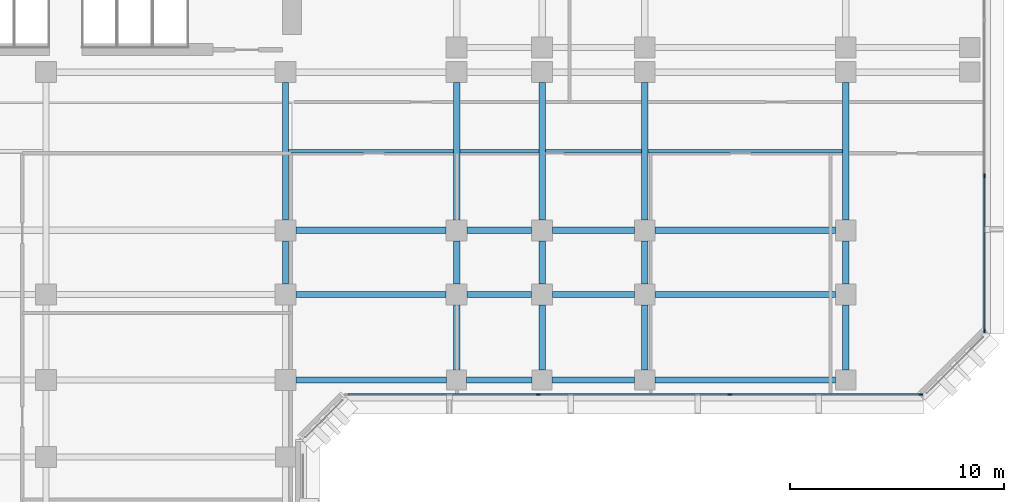
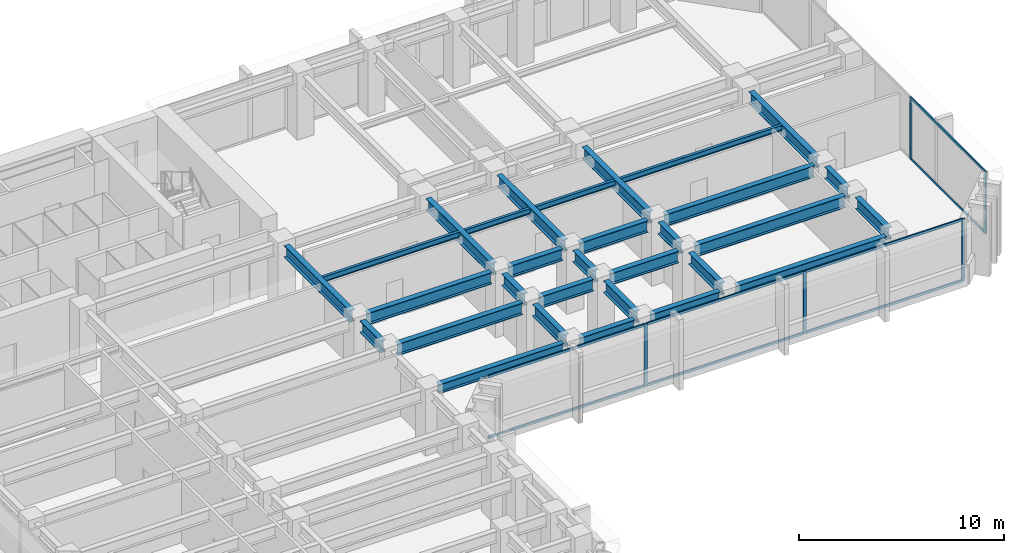
# One storey, part 3 of 13: 30 beams, 13 members, 2 elements without a shape of their own.
"""IFC4 building model written with IfcOpenShell, lengths in metres."""

from ifc_helpers import new_model, si_unit, direction, frame, origin, origin_2d, place, context, subcontext, project, spatial, rectangle, i_section, extrude, material, layer, layer_set, material_profile, profile_set, type_object, element, aggregate, save


model = new_model("IFC4")

# Units and contexts
model_context = context("Model", 3, precision=1e-05, world=origin(), true_north=direction((0.0, 1.0)))
body_context = subcontext(model_context, "Body", "Model", "MODEL_VIEW")
ifc_project = project(units=[si_unit("LENGTHUNIT", "METRE"), si_unit("AREAUNIT", "SQUARE_METRE"), si_unit("VOLUMEUNIT", "CUBIC_METRE"), si_unit("PLANEANGLEUNIT", "RADIAN"), si_unit("MASSUNIT", "GRAM", prefix="KILO")], contexts=[model_context])

# Site, building, storey
site_placement = place(None, origin())
site = spatial("IfcSite", under=ifc_project, at=site_placement, CompositionType="ELEMENT")
building_placement = place(site_placement, origin())
building = spatial("IfcBuilding", under=site, at=building_placement, Name="Kefirva Bronze Tower", CompositionType="ELEMENT")
storey_placement = place(building_placement, frame((0.0, 0.0, 54.1201171875)))
storey = spatial("IfcBuildingStorey", under=building, at=storey_placement, Name="L12", CompositionType="ELEMENT", Elevation=54.1201171875)

# Curtain wall, members
ifc_material_1 = material(Name="Bronze anodised aluminium", Category="aluminium")
ifc_layer = layer(ifc_material_1, 0.199951171875, Name="Bronze anodised aluminium")
ifc_layer_set = layer_set([ifc_layer], Name="Bronze anodised aluminium")
curtain_wall_type = type_object("IfcCurtainWallType", Name="Unitised Bronze Ribbon Curtain Wall Zone 1", PredefinedType="USERDEFINED", material=ifc_layer_set)
curtain_wall_1_placement = place(storey_placement, origin())
curtain_wall_1 = element("IfcCurtainWall", 1, at=curtain_wall_1_placement, inside=storey, type_object=curtain_wall_type, Name="L12 Curtain Wall 2", ObjectType="UNITISED CURTAIN WALL", PredefinedType="USERDEFINED")
ifc_material_profile_1 = material_profile(ifc_material_1, rectangle(XDim=0.074951171875, YDim=0.179931640625, at=origin_2d()), Name="ALU 75x180")
ifc_profile_set_1 = profile_set([ifc_material_profile_1], Name="Bronze anodised aluminium")
member_type_1 = type_object("IfcMemberType", Name="Bronze Mullion 75x180", PredefinedType="MULLION", material=ifc_profile_set_1)
member_1_placement = place(storey_placement, frame((35.018310546875, 18.1201171875, 0.0), z_axis=(0.0, 0.0, 1.0), x_axis=(0.0, 1.0, 0.0)))
member_1 = element("IfcMember", 2, at=member_1_placement, type_object=member_type_1, Name="CW-01 mullion 2", PredefinedType="MULLION", context=body_context, shape_type="SweptSolid", body=[
    extrude(rectangle(XDim=0.074951171875, YDim=0.179931640625, at=origin_2d()), origin(), (0.0, 0.0, 1.0), 3.7099609375),
])
member_2_placement = place(storey_placement, frame((43.981689453125, 18.1201171875, 0.0), z_axis=(0.0, 0.0, 1.0), x_axis=(0.0, 1.0, 0.0)))
member_2 = element("IfcMember", 3, at=member_2_placement, type_object=member_type_1, Name="CW-01 mullion 3", PredefinedType="MULLION", context=body_context, shape_type="SweptSolid", body=[
    extrude(rectangle(XDim=0.074951171875, YDim=0.179931640625, at=origin_2d()), origin(), (0.0, 0.0, 1.0), 3.7099609375),
])
member_3_placement = place(storey_placement, frame((52.907470703125, 18.1201171875, 0.0), z_axis=(0.0, 0.0, 1.0), x_axis=(0.0, 1.0, 0.0)))
member_3 = element("IfcMember", 4, at=member_3_placement, type_object=member_type_1, Name="CW-01 mullion 4", PredefinedType="MULLION", context=body_context, shape_type="SweptSolid", body=[
    extrude(rectangle(XDim=0.074951171875, YDim=0.179931640625, at=origin_2d()), origin(), (0.0, 0.0, 1.0), 3.7099609375),
])

curtain_wall_2_placement = place(storey_placement, origin())
curtain_wall_2 = element("IfcCurtainWall", 5, at=curtain_wall_2_placement, inside=storey, type_object=curtain_wall_type, Name="L12 Curtain Wall 3", ObjectType="UNITISED CURTAIN WALL", PredefinedType="USERDEFINED")
member_4_placement = place(storey_placement, frame((55.8798828125, 21.092529296875, 0.0), z_axis=(0.0, 0.0, 1.0), x_axis=(-1.0, 0.0, 0.0)))
member_4 = element("IfcMember", 6, at=member_4_placement, type_object=member_type_1, Name="CW-01 mullion 1", PredefinedType="MULLION", context=body_context, shape_type="SweptSolid", body=[
    extrude(rectangle(XDim=0.074951171875, YDim=0.179931640625, at=origin_2d()), origin(), (0.0, 0.0, 1.0), 3.7099609375),
])
member_5_placement = place(storey_placement, frame((55.8798828125, 28.3515625, 0.0), z_axis=(0.0, 0.0, 1.0), x_axis=(-1.0, 0.0, 0.0)))
member_5 = element("IfcMember", 7, at=member_5_placement, type_object=member_type_1, Name="CW-01 mullion 2", PredefinedType="MULLION", context=body_context, shape_type="SweptSolid", body=[
    extrude(rectangle(XDim=0.074951171875, YDim=0.179931640625, at=origin_2d()), origin(), (0.0, 0.0, 1.0), 3.7099609375),
])

# Member
ifc_material_profile_2 = material_profile(ifc_material_1, rectangle(XDim=0.074951171875, YDim=0.14990234375, at=origin_2d()), Name="ALU 75x150")
ifc_profile_set_2 = profile_set([ifc_material_profile_2], Name="Bronze anodised aluminium")
member_type_2 = type_object("IfcMemberType", Name="Bronze Transom 75x150", PredefinedType="USERDEFINED", material=ifc_profile_set_2)
member_6_placement = place(storey_placement, frame((26.1298828125, 18.1201171875, 0.037353515625), z_axis=(1.0, 0.0, 0.0), x_axis=(0.0, 1.0, 0.0)))
member_6 = element("IfcMember", 8, at=member_6_placement, type_object=member_type_2, Name="CW-01 transom 1.1", ObjectType="TRANSOM", PredefinedType="USERDEFINED", context=body_context, shape_type="SweptSolid", body=[
    extrude(rectangle(XDim=0.074951171875, YDim=0.14990234375, at=origin_2d()), origin(), (0.0, 0.0, 1.0), 8.850830078125),
])

member_7_placement = place(storey_placement, frame((26.1298828125, 18.1201171875, 3.67236328125), z_axis=(1.0, 0.0, 0.0), x_axis=(0.0, 1.0, 0.0)))
member_7 = element("IfcMember", 9, at=member_7_placement, type_object=member_type_2, Name="CW-01 transom 1.2", ObjectType="TRANSOM", PredefinedType="USERDEFINED", context=body_context, shape_type="SweptSolid", body=[
    extrude(rectangle(XDim=0.074951171875, YDim=0.14990234375, at=origin_2d()), origin(), (0.0, 0.0, 1.0), 8.850830078125),
])

member_8_placement = place(storey_placement, frame((35.055908203125, 18.1201171875, 0.037353515625), z_axis=(1.0, 0.0, 0.0), x_axis=(0.0, 1.0, 0.0)))
member_8 = element("IfcMember", 10, at=member_8_placement, type_object=member_type_2, Name="CW-01 transom 2.1", ObjectType="TRANSOM", PredefinedType="USERDEFINED", context=body_context, shape_type="SweptSolid", body=[
    extrude(rectangle(XDim=0.074951171875, YDim=0.14990234375, at=origin_2d()), origin(), (0.0, 0.0, 1.0), 8.88818359375),
])

member_9_placement = place(storey_placement, frame((35.055908203125, 18.1201171875, 3.67236328125), z_axis=(1.0, 0.0, 0.0), x_axis=(0.0, 1.0, 0.0)))
member_9 = element("IfcMember", 11, at=member_9_placement, type_object=member_type_2, Name="CW-01 transom 2.2", ObjectType="TRANSOM", PredefinedType="USERDEFINED", context=body_context, shape_type="SweptSolid", body=[
    extrude(rectangle(XDim=0.074951171875, YDim=0.14990234375, at=origin_2d()), origin(), (0.0, 0.0, 1.0), 8.88818359375),
])

member_10_placement = place(storey_placement, frame((44.019287109375, 18.1201171875, 0.037353515625), z_axis=(1.0, 0.0, 0.0), x_axis=(0.0, 1.0, 0.0)))
member_10 = element("IfcMember", 12, at=member_10_placement, type_object=member_type_2, Name="CW-01 transom 3.1", ObjectType="TRANSOM", PredefinedType="USERDEFINED", context=body_context, shape_type="SweptSolid", body=[
    extrude(rectangle(XDim=0.074951171875, YDim=0.14990234375, at=origin_2d()), origin(), (0.0, 0.0, 1.0), 8.850830078125),
])

member_11_placement = place(storey_placement, frame((44.019287109375, 18.1201171875, 3.67236328125), z_axis=(1.0, 0.0, 0.0), x_axis=(0.0, 1.0, 0.0)))
member_11 = element("IfcMember", 13, at=member_11_placement, type_object=member_type_2, Name="CW-01 transom 3.2", ObjectType="TRANSOM", PredefinedType="USERDEFINED", context=body_context, shape_type="SweptSolid", body=[
    extrude(rectangle(XDim=0.074951171875, YDim=0.14990234375, at=origin_2d()), origin(), (0.0, 0.0, 1.0), 8.850830078125),
])

aggregate(curtain_wall_1, [member_1, member_2, member_3, member_6, member_7, member_8, member_9, member_10, member_11])

member_12_placement = place(storey_placement, frame((55.8798828125, 21.1298828125, 0.037353515625), z_axis=(0.0, 1.0, 0.0), x_axis=(-1.0, 0.0, 0.0)))
member_12 = element("IfcMember", 14, at=member_12_placement, type_object=member_type_2, Name="CW-01 transom 1.1", ObjectType="TRANSOM", PredefinedType="USERDEFINED", context=body_context, shape_type="SweptSolid", body=[
    extrude(rectangle(XDim=0.074951171875, YDim=0.14990234375, at=origin_2d()), origin(), (0.0, 0.0, 1.0), 7.184326171875),
])

member_13_placement = place(storey_placement, frame((55.8798828125, 21.1298828125, 3.67236328125), z_axis=(0.0, 1.0, 0.0), x_axis=(-1.0, 0.0, 0.0)))
member_13 = element("IfcMember", 15, at=member_13_placement, type_object=member_type_2, Name="CW-01 transom 1.2", ObjectType="TRANSOM", PredefinedType="USERDEFINED", context=body_context, shape_type="SweptSolid", body=[
    extrude(rectangle(XDim=0.074951171875, YDim=0.14990234375, at=origin_2d()), origin(), (0.0, 0.0, 1.0), 7.184326171875),
])

aggregate(curtain_wall_2, [member_4, member_5, member_12, member_13])

# Beams
ifc_material_2 = material(Name="Steel S355", Category="steel")
ifc_material_profile_3 = material_profile(ifc_material_2, i_section(OverallWidth=0.159912109375, OverallDepth=0.330078125, WebThickness=0.007568359375, FlangeThickness=0.011474609375, at=origin_2d()), Name="IPE 330")
ifc_profile_set_3 = profile_set([ifc_material_profile_3], Name="Steel S355")
beam_type_1 = type_object("IfcBeamType", Name="Steel Floor Joist IPE 330", PredefinedType="JOIST", material=ifc_profile_set_3)
beam_1_placement = place(storey_placement, frame((23.35009765625, 29.5, 3.544921875), z_axis=(1.0, 0.0, 0.0), x_axis=(0.0, 1.0, 0.0)))
element("IfcBeam", 16, at=beam_1_placement, inside=storey, type_object=beam_type_1, Name="L12 JST-L12-23-295", PredefinedType="JOIST", context=body_context, shape_type="SweptSolid", body=[
    extrude(i_section(OverallWidth=0.159912109375, OverallDepth=0.330078125, WebThickness=0.007568359375, FlangeThickness=0.011474609375, at=origin_2d()), origin(), (0.0, 0.0, 1.0), 7.699951171875),
])
beam_2_placement = place(storey_placement, frame((31.35009765625, 29.5, 3.544921875), z_axis=(1.0, 0.0, 0.0), x_axis=(0.0, 1.0, 0.0)))
element("IfcBeam", 17, at=beam_2_placement, inside=storey, type_object=beam_type_1, Name="L12 JST-L12-31-295", PredefinedType="JOIST", context=body_context, shape_type="SweptSolid", body=[
    extrude(i_section(OverallWidth=0.159912109375, OverallDepth=0.330078125, WebThickness=0.007568359375, FlangeThickness=0.011474609375, at=origin_2d()), origin(), (0.0, 0.0, 1.0), 3.699951171875),
])
beam_3_placement = place(storey_placement, frame((35.35009765625, 29.5, 3.544921875), z_axis=(1.0, 0.0, 0.0), x_axis=(0.0, 1.0, 0.0)))
element("IfcBeam", 18, at=beam_3_placement, inside=storey, type_object=beam_type_1, Name="L12 JST-L12-35-295", PredefinedType="JOIST", context=body_context, shape_type="SweptSolid", body=[
    extrude(i_section(OverallWidth=0.159912109375, OverallDepth=0.330078125, WebThickness=0.007568359375, FlangeThickness=0.011474609375, at=origin_2d()), origin(), (0.0, 0.0, 1.0), 4.5),
])
beam_4_placement = place(storey_placement, frame((40.14990234375, 29.5, 3.544921875), z_axis=(1.0, 0.0, 0.0), x_axis=(0.0, 1.0, 0.0)))
element("IfcBeam", 19, at=beam_4_placement, inside=storey, type_object=beam_type_1, Name="L12 JST-L12-40-295", PredefinedType="JOIST", context=body_context, shape_type="SweptSolid", body=[
    extrude(i_section(OverallWidth=0.159912109375, OverallDepth=0.330078125, WebThickness=0.007568359375, FlangeThickness=0.011474609375, at=origin_2d()), origin(), (0.0, 0.0, 1.0), 9.10009765625),
])
ifc_material_profile_4 = material_profile(ifc_material_2, i_section(OverallWidth=0.300048828125, OverallDepth=0.699951171875, WebThickness=0.01708984375, FlangeThickness=0.031982421875, at=origin_2d()), Name="HEB 700")
ifc_profile_set_4 = profile_set([ifc_material_profile_4], Name="Steel S355")
beam_type_2 = type_object("IfcBeamType", Name="Steel Girder HEB 700", PredefinedType="USERDEFINED", material=ifc_profile_set_4)
beam_5_placement = place(storey_placement, frame((23.68994140625, 22.800048828125, 3.35986328125), z_axis=(1.0, 0.0, 0.0), x_axis=(0.0, 1.0, 0.0)))
element("IfcBeam", 20, at=beam_5_placement, inside=storey, type_object=beam_type_2, Name="L12 BM-L12-EW-23-228", ObjectType="GIRDER", PredefinedType="USERDEFINED", context=body_context, shape_type="SweptSolid", body=[
    extrude(i_section(OverallWidth=0.300048828125, OverallDepth=0.699951171875, WebThickness=0.01708984375, FlangeThickness=0.031982421875, at=origin_2d()), origin(), (0.0, 0.0, 1.0), 7.02001953125),
])
beam_6_placement = place(storey_placement, frame((31.68994140625, 22.800048828125, 3.35986328125), z_axis=(1.0, 0.0, 0.0), x_axis=(0.0, 1.0, 0.0)))
element("IfcBeam", 21, at=beam_6_placement, inside=storey, type_object=beam_type_2, Name="L12 BM-L12-EW-31-228", ObjectType="GIRDER", PredefinedType="USERDEFINED", context=body_context, shape_type="SweptSolid", body=[
    extrude(i_section(OverallWidth=0.300048828125, OverallDepth=0.699951171875, WebThickness=0.01708984375, FlangeThickness=0.031982421875, at=origin_2d()), origin(), (0.0, 0.0, 1.0), 3.02001953125),
])
beam_7_placement = place(storey_placement, frame((35.68994140625, 22.800048828125, 3.35986328125), z_axis=(1.0, 0.0, 0.0), x_axis=(0.0, 1.0, 0.0)))
element("IfcBeam", 22, at=beam_7_placement, inside=storey, type_object=beam_type_2, Name="L12 BM-L12-EW-35-228", ObjectType="GIRDER", PredefinedType="USERDEFINED", context=body_context, shape_type="SweptSolid", body=[
    extrude(i_section(OverallWidth=0.300048828125, OverallDepth=0.699951171875, WebThickness=0.01708984375, FlangeThickness=0.031982421875, at=origin_2d()), origin(), (0.0, 0.0, 1.0), 3.820068359375),
])
beam_8_placement = place(storey_placement, frame((40.489990234375, 22.800048828125, 3.35986328125), z_axis=(1.0, 0.0, 0.0), x_axis=(0.0, 1.0, 0.0)))
element("IfcBeam", 23, at=beam_8_placement, inside=storey, type_object=beam_type_2, Name="L12 BM-L12-EW-40-228", ObjectType="GIRDER", PredefinedType="USERDEFINED", context=body_context, shape_type="SweptSolid", body=[
    extrude(i_section(OverallWidth=0.300048828125, OverallDepth=0.699951171875, WebThickness=0.01708984375, FlangeThickness=0.031982421875, at=origin_2d()), origin(), (0.0, 0.0, 1.0), 8.419921875),
])
beam_9_placement = place(storey_placement, frame((23.68994140625, 25.800048828125, 3.35986328125), z_axis=(1.0, 0.0, 0.0), x_axis=(0.0, 1.0, 0.0)))
element("IfcBeam", 24, at=beam_9_placement, inside=storey, type_object=beam_type_2, Name="L12 BM-L12-EW-23-258", ObjectType="GIRDER", PredefinedType="USERDEFINED", context=body_context, shape_type="SweptSolid", body=[
    extrude(i_section(OverallWidth=0.300048828125, OverallDepth=0.699951171875, WebThickness=0.01708984375, FlangeThickness=0.031982421875, at=origin_2d()), origin(), (0.0, 0.0, 1.0), 7.02001953125),
])
beam_10_placement = place(storey_placement, frame((31.68994140625, 25.800048828125, 3.35986328125), z_axis=(1.0, 0.0, 0.0), x_axis=(0.0, 1.0, 0.0)))
element("IfcBeam", 25, at=beam_10_placement, inside=storey, type_object=beam_type_2, Name="L12 BM-L12-EW-31-258", ObjectType="GIRDER", PredefinedType="USERDEFINED", context=body_context, shape_type="SweptSolid", body=[
    extrude(i_section(OverallWidth=0.300048828125, OverallDepth=0.699951171875, WebThickness=0.01708984375, FlangeThickness=0.031982421875, at=origin_2d()), origin(), (0.0, 0.0, 1.0), 3.02001953125),
])
beam_11_placement = place(storey_placement, frame((35.68994140625, 25.800048828125, 3.35986328125), z_axis=(1.0, 0.0, 0.0), x_axis=(0.0, 1.0, 0.0)))
element("IfcBeam", 26, at=beam_11_placement, inside=storey, type_object=beam_type_2, Name="L12 BM-L12-EW-35-258", ObjectType="GIRDER", PredefinedType="USERDEFINED", context=body_context, shape_type="SweptSolid", body=[
    extrude(i_section(OverallWidth=0.300048828125, OverallDepth=0.699951171875, WebThickness=0.01708984375, FlangeThickness=0.031982421875, at=origin_2d()), origin(), (0.0, 0.0, 1.0), 3.820068359375),
])
beam_12_placement = place(storey_placement, frame((40.489990234375, 25.800048828125, 3.35986328125), z_axis=(1.0, 0.0, 0.0), x_axis=(0.0, 1.0, 0.0)))
element("IfcBeam", 27, at=beam_12_placement, inside=storey, type_object=beam_type_2, Name="L12 BM-L12-EW-40-258", ObjectType="GIRDER", PredefinedType="USERDEFINED", context=body_context, shape_type="SweptSolid", body=[
    extrude(i_section(OverallWidth=0.300048828125, OverallDepth=0.699951171875, WebThickness=0.01708984375, FlangeThickness=0.031982421875, at=origin_2d()), origin(), (0.0, 0.0, 1.0), 8.419921875),
])
beam_13_placement = place(storey_placement, frame((23.199951171875, 23.2900390625, 3.35986328125), z_axis=(0.0, 1.0, 0.0), x_axis=(-1.0, 0.0, 0.0)))
element("IfcBeam", 28, at=beam_13_placement, inside=storey, type_object=beam_type_2, Name="L12 BM-L12-NS-232-22", ObjectType="GIRDER", PredefinedType="USERDEFINED", context=body_context, shape_type="SweptSolid", body=[
    extrude(i_section(OverallWidth=0.300048828125, OverallDepth=0.699951171875, WebThickness=0.01708984375, FlangeThickness=0.031982421875, at=origin_2d()), origin(), (0.0, 0.0, 1.0), 2.02001953125),
])
beam_14_placement = place(storey_placement, frame((23.199951171875, 26.2900390625, 3.35986328125), z_axis=(0.0, 1.0, 0.0), x_axis=(-1.0, 0.0, 0.0)))
element("IfcBeam", 29, at=beam_14_placement, inside=storey, type_object=beam_type_2, Name="L12 BM-L12-NS-232-25", ObjectType="GIRDER", PredefinedType="USERDEFINED", context=body_context, shape_type="SweptSolid", body=[
    extrude(i_section(OverallWidth=0.300048828125, OverallDepth=0.699951171875, WebThickness=0.01708984375, FlangeThickness=0.031982421875, at=origin_2d()), origin(), (0.0, 0.0, 1.0), 6.419921875),
])
beam_15_placement = place(storey_placement, frame((31.199951171875, 19.27001953125, 3.35986328125), z_axis=(0.0, 1.0, 0.0), x_axis=(-1.0, 0.0, 0.0)))
element("IfcBeam", 30, at=beam_15_placement, inside=storey, type_object=beam_type_2, Name="L12 BM-L12-NS-312-18", ObjectType="GIRDER", PredefinedType="USERDEFINED", context=body_context, shape_type="SweptSolid", body=[
    extrude(i_section(OverallWidth=0.300048828125, OverallDepth=0.699951171875, WebThickness=0.01708984375, FlangeThickness=0.031982421875, at=origin_2d()), origin(), (0.0, 0.0, 1.0), 3.0400390625),
])
beam_16_placement = place(storey_placement, frame((31.199951171875, 23.2900390625, 3.35986328125), z_axis=(0.0, 1.0, 0.0), x_axis=(-1.0, 0.0, 0.0)))
element("IfcBeam", 31, at=beam_16_placement, inside=storey, type_object=beam_type_2, Name="L12 BM-L12-NS-312-22", ObjectType="GIRDER", PredefinedType="USERDEFINED", context=body_context, shape_type="SweptSolid", body=[
    extrude(i_section(OverallWidth=0.300048828125, OverallDepth=0.699951171875, WebThickness=0.01708984375, FlangeThickness=0.031982421875, at=origin_2d()), origin(), (0.0, 0.0, 1.0), 2.02001953125),
])
beam_17_placement = place(storey_placement, frame((31.199951171875, 26.2900390625, 3.35986328125), z_axis=(0.0, 1.0, 0.0), x_axis=(-1.0, 0.0, 0.0)))
element("IfcBeam", 32, at=beam_17_placement, inside=storey, type_object=beam_type_2, Name="L12 BM-L12-NS-312-25", ObjectType="GIRDER", PredefinedType="USERDEFINED", context=body_context, shape_type="SweptSolid", body=[
    extrude(i_section(OverallWidth=0.300048828125, OverallDepth=0.699951171875, WebThickness=0.01708984375, FlangeThickness=0.031982421875, at=origin_2d()), origin(), (0.0, 0.0, 1.0), 6.419921875),
])
beam_18_placement = place(storey_placement, frame((35.199951171875, 19.27001953125, 3.35986328125), z_axis=(0.0, 1.0, 0.0), x_axis=(-1.0, 0.0, 0.0)))
element("IfcBeam", 33, at=beam_18_placement, inside=storey, type_object=beam_type_2, Name="L12 BM-L12-NS-352-18", ObjectType="GIRDER", PredefinedType="USERDEFINED", context=body_context, shape_type="SweptSolid", body=[
    extrude(i_section(OverallWidth=0.300048828125, OverallDepth=0.699951171875, WebThickness=0.01708984375, FlangeThickness=0.031982421875, at=origin_2d()), origin(), (0.0, 0.0, 1.0), 3.0400390625),
])
beam_19_placement = place(storey_placement, frame((35.199951171875, 23.2900390625, 3.35986328125), z_axis=(0.0, 1.0, 0.0), x_axis=(-1.0, 0.0, 0.0)))
element("IfcBeam", 34, at=beam_19_placement, inside=storey, type_object=beam_type_2, Name="L12 BM-L12-NS-352-22", ObjectType="GIRDER", PredefinedType="USERDEFINED", context=body_context, shape_type="SweptSolid", body=[
    extrude(i_section(OverallWidth=0.300048828125, OverallDepth=0.699951171875, WebThickness=0.01708984375, FlangeThickness=0.031982421875, at=origin_2d()), origin(), (0.0, 0.0, 1.0), 2.02001953125),
])
beam_20_placement = place(storey_placement, frame((35.199951171875, 26.2900390625, 3.35986328125), z_axis=(0.0, 1.0, 0.0), x_axis=(-1.0, 0.0, 0.0)))
element("IfcBeam", 35, at=beam_20_placement, inside=storey, type_object=beam_type_2, Name="L12 BM-L12-NS-352-25", ObjectType="GIRDER", PredefinedType="USERDEFINED", context=body_context, shape_type="SweptSolid", body=[
    extrude(i_section(OverallWidth=0.300048828125, OverallDepth=0.699951171875, WebThickness=0.01708984375, FlangeThickness=0.031982421875, at=origin_2d()), origin(), (0.0, 0.0, 1.0), 6.419921875),
])
beam_21_placement = place(storey_placement, frame((40.0, 19.27001953125, 3.35986328125), z_axis=(0.0, 1.0, 0.0), x_axis=(-1.0, 0.0, 0.0)))
element("IfcBeam", 36, at=beam_21_placement, inside=storey, type_object=beam_type_2, Name="L12 BM-L12-NS-400-18", ObjectType="GIRDER", PredefinedType="USERDEFINED", context=body_context, shape_type="SweptSolid", body=[
    extrude(i_section(OverallWidth=0.300048828125, OverallDepth=0.699951171875, WebThickness=0.01708984375, FlangeThickness=0.031982421875, at=origin_2d()), origin(), (0.0, 0.0, 1.0), 3.0400390625),
])
beam_22_placement = place(storey_placement, frame((40.0, 23.2900390625, 3.35986328125), z_axis=(0.0, 1.0, 0.0), x_axis=(-1.0, 0.0, 0.0)))
element("IfcBeam", 37, at=beam_22_placement, inside=storey, type_object=beam_type_2, Name="L12 BM-L12-NS-400-22", ObjectType="GIRDER", PredefinedType="USERDEFINED", context=body_context, shape_type="SweptSolid", body=[
    extrude(i_section(OverallWidth=0.300048828125, OverallDepth=0.699951171875, WebThickness=0.01708984375, FlangeThickness=0.031982421875, at=origin_2d()), origin(), (0.0, 0.0, 1.0), 2.02001953125),
])
beam_23_placement = place(storey_placement, frame((40.0, 26.2900390625, 3.35986328125), z_axis=(0.0, 1.0, 0.0), x_axis=(-1.0, 0.0, 0.0)))
element("IfcBeam", 38, at=beam_23_placement, inside=storey, type_object=beam_type_2, Name="L12 BM-L12-NS-400-25", ObjectType="GIRDER", PredefinedType="USERDEFINED", context=body_context, shape_type="SweptSolid", body=[
    extrude(i_section(OverallWidth=0.300048828125, OverallDepth=0.699951171875, WebThickness=0.01708984375, FlangeThickness=0.031982421875, at=origin_2d()), origin(), (0.0, 0.0, 1.0), 6.419921875),
])
beam_24_placement = place(storey_placement, frame((49.39990234375, 19.27001953125, 3.35986328125), z_axis=(0.0, 1.0, 0.0), x_axis=(-1.0, 0.0, 0.0)))
element("IfcBeam", 39, at=beam_24_placement, inside=storey, type_object=beam_type_2, Name="L12 BM-L12-NS-494-18", ObjectType="GIRDER", PredefinedType="USERDEFINED", context=body_context, shape_type="SweptSolid", body=[
    extrude(i_section(OverallWidth=0.300048828125, OverallDepth=0.699951171875, WebThickness=0.01708984375, FlangeThickness=0.031982421875, at=origin_2d()), origin(), (0.0, 0.0, 1.0), 3.0400390625),
])
beam_25_placement = place(storey_placement, frame((49.39990234375, 23.2900390625, 3.35986328125), z_axis=(0.0, 1.0, 0.0), x_axis=(-1.0, 0.0, 0.0)))
element("IfcBeam", 40, at=beam_25_placement, inside=storey, type_object=beam_type_2, Name="L12 BM-L12-NS-494-22", ObjectType="GIRDER", PredefinedType="USERDEFINED", context=body_context, shape_type="SweptSolid", body=[
    extrude(i_section(OverallWidth=0.300048828125, OverallDepth=0.699951171875, WebThickness=0.01708984375, FlangeThickness=0.031982421875, at=origin_2d()), origin(), (0.0, 0.0, 1.0), 2.02001953125),
])
beam_26_placement = place(storey_placement, frame((49.39990234375, 26.2900390625, 3.35986328125), z_axis=(0.0, 1.0, 0.0), x_axis=(-1.0, 0.0, 0.0)))
element("IfcBeam", 41, at=beam_26_placement, inside=storey, type_object=beam_type_2, Name="L12 BM-L12-NS-494-25", ObjectType="GIRDER", PredefinedType="USERDEFINED", context=body_context, shape_type="SweptSolid", body=[
    extrude(i_section(OverallWidth=0.300048828125, OverallDepth=0.699951171875, WebThickness=0.01708984375, FlangeThickness=0.031982421875, at=origin_2d()), origin(), (0.0, 0.0, 1.0), 6.419921875),
])
ifc_material_profile_5 = material_profile(ifc_material_2, i_section(OverallWidth=0.300048828125, OverallDepth=0.550048828125, WebThickness=0.014892578125, FlangeThickness=0.029052734375, at=origin_2d()), Name="HEB 550")
ifc_profile_set_5 = profile_set([ifc_material_profile_5], Name="Steel S355")
beam_type_3 = type_object("IfcBeamType", Name="Steel Spandrel HEB 550 Ext", PredefinedType="SPANDREL", material=ifc_profile_set_5)
beam_27_placement = place(storey_placement, frame((23.68994140625, 18.800048828125, 3.434814453125), z_axis=(1.0, 0.0, 0.0), x_axis=(0.0, 1.0, 0.0)))
element("IfcBeam", 42, at=beam_27_placement, inside=storey, type_object=beam_type_3, Name="L12 BM-L12-EW-23-188", PredefinedType="SPANDREL", context=body_context, shape_type="SweptSolid", body=[
    extrude(i_section(OverallWidth=0.300048828125, OverallDepth=0.550048828125, WebThickness=0.014892578125, FlangeThickness=0.029052734375, at=origin_2d()), origin(), (0.0, 0.0, 1.0), 7.0400390625),
])
beam_28_placement = place(storey_placement, frame((31.669921875, 18.800048828125, 3.434814453125), z_axis=(1.0, 0.0, 0.0), x_axis=(0.0, 1.0, 0.0)))
element("IfcBeam", 43, at=beam_28_placement, inside=storey, type_object=beam_type_3, Name="L12 BM-L12-EW-31-188", PredefinedType="SPANDREL", context=body_context, shape_type="SweptSolid", body=[
    extrude(i_section(OverallWidth=0.300048828125, OverallDepth=0.550048828125, WebThickness=0.014892578125, FlangeThickness=0.029052734375, at=origin_2d()), origin(), (0.0, 0.0, 1.0), 3.06005859375),
])
beam_29_placement = place(storey_placement, frame((35.669921875, 18.800048828125, 3.434814453125), z_axis=(1.0, 0.0, 0.0), x_axis=(0.0, 1.0, 0.0)))
element("IfcBeam", 44, at=beam_29_placement, inside=storey, type_object=beam_type_3, Name="L12 BM-L12-EW-35-188", PredefinedType="SPANDREL", context=body_context, shape_type="SweptSolid", body=[
    extrude(i_section(OverallWidth=0.300048828125, OverallDepth=0.550048828125, WebThickness=0.014892578125, FlangeThickness=0.029052734375, at=origin_2d()), origin(), (0.0, 0.0, 1.0), 3.860107421875),
])
beam_30_placement = place(storey_placement, frame((40.469970703125, 18.800048828125, 3.434814453125), z_axis=(1.0, 0.0, 0.0), x_axis=(0.0, 1.0, 0.0)))
element("IfcBeam", 45, at=beam_30_placement, inside=storey, type_object=beam_type_3, Name="L12 BM-L12-EW-40-188", PredefinedType="SPANDREL", context=body_context, shape_type="SweptSolid", body=[
    extrude(i_section(OverallWidth=0.300048828125, OverallDepth=0.550048828125, WebThickness=0.014892578125, FlangeThickness=0.029052734375, at=origin_2d()), origin(), (0.0, 0.0, 1.0), 8.4599609375),
])

save(model, "model.ifc")
